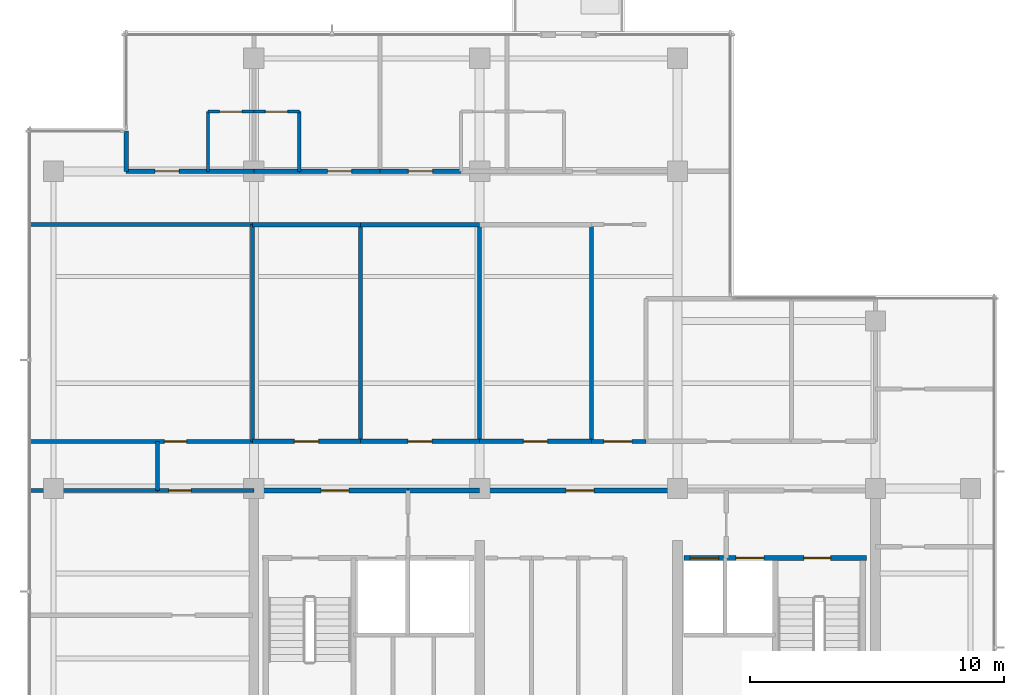
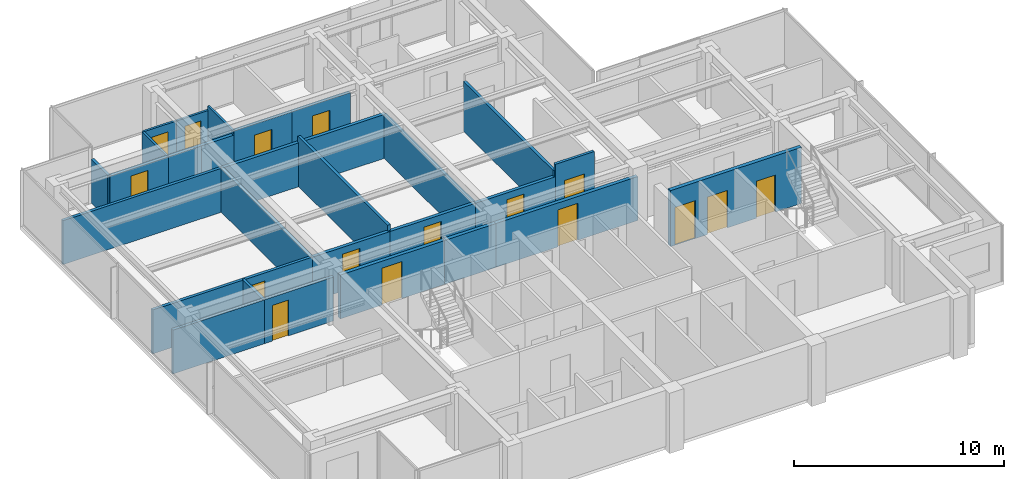
# One storey, part 7 of 12: 29 walls, 16 doors, 16 openings.
"""IFC4 building model written with IfcOpenShell, lengths in metres."""

from ifc_helpers import new_model, si_unit, direction, frame, frame_2d, origin, place, context, subcontext, project, spatial, rectangle, extrude, material, layer, layer_set, type_object, element, fill, save


model = new_model("IFC4")

# Units and contexts
model_context = context("Model", 3, precision=1e-05, world=origin(), true_north=direction((0.0, 1.0)))
body_context = subcontext(model_context, "Body", "Model", "MODEL_VIEW")
ifc_project = project(units=[si_unit("LENGTHUNIT", "METRE"), si_unit("AREAUNIT", "SQUARE_METRE"), si_unit("VOLUMEUNIT", "CUBIC_METRE"), si_unit("PLANEANGLEUNIT", "RADIAN"), si_unit("MASSUNIT", "GRAM", prefix="KILO")], contexts=[model_context])

# Site, building, storey
site_placement = place(None, origin())
site = spatial("IfcSite", under=ifc_project, at=site_placement, CompositionType="ELEMENT")
building_placement = place(site_placement, origin())
building = spatial("IfcBuilding", under=site, at=building_placement, Name="Qalmaran Belvedere Hotel", CompositionType="ELEMENT")
storey_placement = place(building_placement, frame((0.0, 0.0, 252.89990234375)))
storey = spatial("IfcBuildingStorey", under=building, at=storey_placement, Name="L65", CompositionType="ELEMENT", Elevation=252.89990234375)

# Wall, opening, door
ifc_material_1 = material(Name="Moisture-Resistant Gypsum")
ifc_layer_1 = layer(ifc_material_1, 0.1201171875, Name="Moisture-Resistant Gypsum")
ifc_layer_set_1 = layer_set([ifc_layer_1], Name="Moisture-Resistant Gypsum")
wall_type_1 = type_object("IfcWallType", Name="WL-INT-120-BATH", PredefinedType="PARTITIONING", material=ifc_layer_set_1)
wall_1_placement = place(storey_placement, frame((18.489990234375, 35.35009765625, 0.0), z_axis=(0.0, 0.0, 1.0), x_axis=(1.0, 0.0, 0.0)))
wall_1 = element("IfcWall", 1, at=wall_1_placement, inside=storey, type_object=wall_type_1, Name="L65 Partition WL-L65-NBN00", PredefinedType="PARTITIONING", context=body_context, shape_type="SweptSolid", body=[
    extrude(rectangle(XDim=1.81005859375, YDim=0.1201171875, at=frame_2d((0.905029296875, 0.0))), origin(), (0.0, 0.0, 1.0), 2.550048828125),
])
opening_1_placement = place(wall_1_placement, frame((1.344970703125, 0.0, 0.0), z_axis=(0.0, 0.0, 1.0), x_axis=(-1.0, 0.0, 0.0)))
opening_1 = element("IfcOpeningElement", 2, at=opening_1_placement, cuts=wall_1, Name="Opening D-BATH", PredefinedType="OPENING", context=body_context, shape_type="SweptSolid", body=[
    extrude(rectangle(XDim=0.8798828125, YDim=2.080078125, at=frame_2d((0.43994140625, 1.0400390625))), frame((0.0, 0.070068359375, 0.0), z_axis=(0.0, -1.0, 0.0), x_axis=(1.0, 0.0, 0.0)), (0.0, 0.0, 1.0), 0.14013671875),
])
ifc_material_2 = material(Name="Engineered Oak Veneer")
door_type_1 = type_object("IfcDoorType", Name="DR-INT-BATH-880X2080", OperationType="NOTDEFINED", PredefinedType="DOOR", material=ifc_material_2)
door_1_placement = place(opening_1_placement, origin())
door_1 = element("IfcDoor", 3, at=door_1_placement, inside=storey, type_object=door_type_1, Name="L65 Ensuite Bathroom Door N01", OperationType="SINGLE_SWING_RIGHT", OverallHeight=2.080078125, OverallWidth=0.8798828125, PredefinedType="DOOR", context=body_context, shape_type="SweptSolid", body=[
    extrude(rectangle(XDim=0.8798828125, YDim=2.080078125, at=frame_2d((0.43994140625, 1.0400390625))), frame((0.0, 0.02490234375, 0.0), z_axis=(0.0, -1.0, 0.0), x_axis=(1.0, 0.0, 0.0)), (0.0, 0.0, 1.0), 0.050048828125),
])
fill(opening_1, door_1)

# Wall
wall_2_placement = place(storey_placement, frame((18.489990234375, 33.0, 0.0), z_axis=(0.0, 0.0, 1.0), x_axis=(0.0, 1.0, 0.0)))
element("IfcWall", 4, at=wall_2_placement, inside=storey, type_object=wall_type_1, Name="L65 Partition WL-L65-NBS00", PredefinedType="PARTITIONING", context=body_context, shape_type="SweptSolid", body=[
    extrude(rectangle(XDim=2.35009765625, YDim=0.1201171875, at=frame_2d((1.175048828125, 0.0))), origin(), (0.0, 0.0, 1.0), 2.550048828125),
])

# Wall, opening, door
wall_3_placement = place(storey_placement, frame((20.300048828125, 35.35009765625, 0.0), z_axis=(0.0, 0.0, 1.0), x_axis=(1.0, 0.0, 0.0)))
wall_3 = element("IfcWall", 5, at=wall_3_placement, inside=storey, type_object=wall_type_1, Name="L65 Partition WL-L65-NBN01", PredefinedType="PARTITIONING", context=body_context, shape_type="SweptSolid", body=[
    extrude(rectangle(XDim=1.7900390625, YDim=0.1201171875, at=frame_2d((0.89501953125, 0.0))), origin(), (0.0, 0.0, 1.0), 2.550048828125),
])
opening_2_placement = place(wall_3_placement, frame((1.3349609375, 0.0, 0.0), z_axis=(0.0, 0.0, 1.0), x_axis=(-1.0, 0.0, 0.0)))
opening_2 = element("IfcOpeningElement", 6, at=opening_2_placement, cuts=wall_3, Name="Opening D-BATH", PredefinedType="OPENING", context=body_context, shape_type="SweptSolid", body=[
    extrude(rectangle(XDim=0.8798828125, YDim=2.080078125, at=frame_2d((0.43994140625, 1.0400390625))), frame((0.0, 0.070068359375, 0.0), z_axis=(0.0, -1.0, 0.0), x_axis=(1.0, 0.0, 0.0)), (0.0, 0.0, 1.0), 0.14013671875),
])
door_2_placement = place(opening_2_placement, origin())
door_2 = element("IfcDoor", 7, at=door_2_placement, inside=storey, type_object=door_type_1, Name="L65 Ensuite Bathroom Door N02", OperationType="SINGLE_SWING_RIGHT", OverallHeight=2.080078125, OverallWidth=0.8798828125, PredefinedType="DOOR", context=body_context, shape_type="SweptSolid", body=[
    extrude(rectangle(XDim=0.8798828125, YDim=2.080078125, at=frame_2d((0.43994140625, 1.0400390625))), frame((0.0, 0.02490234375, 0.0), z_axis=(0.0, -1.0, 0.0), x_axis=(1.0, 0.0, 0.0)), (0.0, 0.0, 1.0), 0.050048828125),
])
fill(opening_2, door_2)

# Wall
wall_4_placement = place(storey_placement, frame((22.090087890625, 33.0, 0.0), z_axis=(0.0, 0.0, 1.0), x_axis=(0.0, 1.0, 0.0)))
element("IfcWall", 8, at=wall_4_placement, inside=storey, type_object=wall_type_1, Name="L65 Partition WL-L65-NBS01", PredefinedType="PARTITIONING", context=body_context, shape_type="SweptSolid", body=[
    extrude(rectangle(XDim=2.35009765625, YDim=0.1201171875, at=frame_2d((1.175048828125, 0.0))), origin(), (0.0, 0.0, 1.0), 2.781982421875),
])

# Wall, opening, door
ifc_material_3 = material(Name="Gypsum Stud Partition")
ifc_layer_2 = layer(ifc_material_3, 0.14990234375, Name="Gypsum Stud Partition")
ifc_layer_set_2 = layer_set([ifc_layer_2], Name="Gypsum Stud Partition")
wall_type_2 = type_object("IfcWallType", Name="WL-INT-150-EI60", PredefinedType="PARTITIONING", material=ifc_layer_set_2)
wall_5_placement = place(storey_placement, frame((33.60009765625, 22.35009765625, 0.0), z_axis=(0.0, 0.0, 1.0), x_axis=(1.0, 0.0, 0.0)))
wall_5 = element("IfcWall", 9, at=wall_5_placement, inside=storey, type_object=wall_type_2, Name="L65 Partition WL-L65-XCLS", PredefinedType="PARTITIONING", context=body_context, shape_type="SweptSolid", body=[
    extrude(rectangle(XDim=2.14990234375, YDim=0.14990234375, at=frame_2d((1.074951171875, 0.0))), origin(), (0.0, 0.0, 1.0), 3.260009765625),
])
opening_3_placement = place(wall_5_placement, frame((0.5, 0.0, 0.0)))
opening_3 = element("IfcOpeningElement", 10, at=opening_3_placement, cuts=wall_5, Name="Opening FD90", PredefinedType="OPENING", context=body_context, shape_type="SweptSolid", body=[
    extrude(rectangle(XDim=1.10009765625, YDim=2.14990234375, at=frame_2d((0.550048828125, 1.074951171875))), frame((0.0, 0.0849609375, 0.0), z_axis=(0.0, -1.0, 0.0), x_axis=(1.0, 0.0, 0.0)), (0.0, 0.0, 1.0), 0.169921875),
])
ifc_material_4 = material(Name="Steel S355JR", Category="steel")
door_type_2 = type_object("IfcDoorType", Name="DR-FD90-1100X2150", OperationType="NOTDEFINED", PredefinedType="DOOR", material=ifc_material_4)
door_3_placement = place(opening_3_placement, origin())
door_3 = element("IfcDoor", 11, at=door_3_placement, inside=storey, type_object=door_type_2, Name="L65 Sky Link South Door", OperationType="SINGLE_SWING_RIGHT", OverallHeight=2.14990234375, OverallWidth=1.10009765625, PredefinedType="DOOR", context=body_context, shape_type="SweptSolid", body=[
    extrude(rectangle(XDim=1.10009765625, YDim=2.14990234375, at=frame_2d((0.550048828125, 1.074951171875))), frame((0.0, 0.02490234375, 0.0), z_axis=(0.0, -1.0, 0.0), x_axis=(1.0, 0.0, 0.0)), (0.0, 0.0, 1.0), 0.050048828125),
])
fill(opening_3, door_3)

# Wall
ifc_layer_3 = layer(ifc_material_3, 0.159912109375, Name="Gypsum Stud Partition")
ifc_layer_set_3 = layer_set([ifc_layer_3], Name="Gypsum Stud Partition")
wall_type_3 = type_object("IfcWallType", Name="WL-INT-160-EI60", PredefinedType="PARTITIONING", material=ifc_layer_set_3)
wall_6_placement = place(storey_placement, frame((11.469970703125, 20.419921875, 0.0), z_axis=(0.0, 0.0, 1.0), x_axis=(1.0, 0.0, 0.0)))
element("IfcWall", 12, at=wall_6_placement, inside=storey, type_object=wall_type_3, Name="L65 Partition WL-L65-C4WS1", PredefinedType="PARTITIONING", context=body_context, shape_type="SweptSolid", body=[
    extrude(rectangle(XDim=5.030029296875, YDim=0.159912109375, at=frame_2d((2.51513671875, 0.0))), origin(), (0.0, 0.0, 1.0), 2.550048828125),
])

# Wall, opening, door
wall_7_placement = place(storey_placement, frame((16.5, 20.419921875, 0.0), z_axis=(0.0, 0.0, 1.0), x_axis=(1.0, 0.0, 0.0)))
wall_7 = element("IfcWall", 13, at=wall_7_placement, inside=storey, type_object=wall_type_3, Name="L65 Partition WL-L65-C4WS2", PredefinedType="PARTITIONING", context=body_context, shape_type="SweptSolid", body=[
    extrude(rectangle(XDim=3.800048828125, YDim=0.159912109375, at=frame_2d((1.89990234375, 0.0))), origin(), (0.0, 0.0, 1.0), 2.550048828125),
])
opening_4_placement = place(wall_7_placement, frame((1.329833984375, 0.0, 0.0), z_axis=(0.0, 0.0, 1.0), x_axis=(-1.0, 0.0, 0.0)))
opening_4 = element("IfcOpeningElement", 14, at=opening_4_placement, cuts=wall_7, Name="Opening FD60B", PredefinedType="OPENING", context=body_context, shape_type="SweptSolid", body=[
    extrude(rectangle(XDim=0.8798828125, YDim=2.080078125, at=frame_2d((0.43994140625, 1.0400390625))), frame((0.0, 0.08984375, 0.0), z_axis=(0.0, -1.0, 0.0), x_axis=(1.0, 0.0, 0.0)), (0.0, 0.0, 1.0), 0.179931640625),
])
door_type_3 = type_object("IfcDoorType", Name="DR-FD60B-880X2080", OperationType="NOTDEFINED", PredefinedType="DOOR", material=ifc_material_4)
door_4_placement = place(opening_4_placement, origin())
door_4 = element("IfcDoor", 15, at=door_4_placement, inside=storey, type_object=door_type_3, Name="L65 West Salon Door", OperationType="SINGLE_SWING_LEFT", OverallHeight=2.080078125, OverallWidth=0.8798828125, PredefinedType="DOOR", context=body_context, shape_type="SweptSolid", body=[
    extrude(rectangle(XDim=0.8798828125, YDim=2.080078125, at=frame_2d((0.43994140625, 1.0400390625))), frame((0.0, 0.02490234375, 0.0), z_axis=(0.0, -1.0, 0.0), x_axis=(1.0, 0.0, 0.0)), (0.0, 0.0, 1.0), 0.050048828125),
])
fill(opening_4, door_4)

# Wall
wall_8_placement = place(storey_placement, frame((16.5, 20.419921875, 0.0), z_axis=(0.0, 0.0, 1.0), x_axis=(0.0, 1.0, 0.0)))
element("IfcWall", 16, at=wall_8_placement, inside=storey, type_object=wall_type_3, Name="L65 Partition WL-L65-C4WW", PredefinedType="PARTITIONING", context=body_context, shape_type="SweptSolid", body=[
    extrude(rectangle(XDim=1.93017578125, YDim=0.159912109375, at=frame_2d((0.965087890625, 0.0))), origin(), (0.0, 0.0, 1.0), 2.550048828125),
])

# Wall, opening, door
wall_9_placement = place(storey_placement, frame((11.469970703125, 22.35009765625, 0.0), z_axis=(0.0, 0.0, 1.0), x_axis=(1.0, 0.0, 0.0)))
wall_9 = element("IfcWall", 17, at=wall_9_placement, inside=storey, type_object=wall_type_3, Name="L65 Partition WL-L65-C4WN0", PredefinedType="PARTITIONING", context=body_context, shape_type="SweptSolid", body=[
    extrude(rectangle(XDim=8.780029296875, YDim=0.159912109375, at=frame_2d((4.39013671875, 0.0))), origin(), (0.0, 0.0, 1.0), 2.550048828125),
])
opening_5_placement = place(wall_9_placement, frame((5.300048828125, 0.0, 0.0)))
opening_5 = element("IfcOpeningElement", 18, at=opening_5_placement, cuts=wall_9, Name="Opening FD60B", PredefinedType="OPENING", context=body_context, shape_type="SweptSolid", body=[
    extrude(rectangle(XDim=0.8798828125, YDim=2.080078125, at=frame_2d((0.43994140625, 1.0400390625))), frame((0.0, 0.08984375, 0.0), z_axis=(0.0, -1.0, 0.0), x_axis=(1.0, 0.0, 0.0)), (0.0, 0.0, 1.0), 0.179931640625),
])
door_5_placement = place(opening_5_placement, origin())
door_5 = element("IfcDoor", 19, at=door_5_placement, inside=storey, type_object=door_type_3, Name="L65 NW Salon Door", OperationType="SINGLE_SWING_RIGHT", OverallHeight=2.080078125, OverallWidth=0.8798828125, PredefinedType="DOOR", context=body_context, shape_type="SweptSolid", body=[
    extrude(rectangle(XDim=0.8798828125, YDim=2.080078125, at=frame_2d((0.43994140625, 1.0400390625))), frame((0.0, 0.02490234375, 0.0), z_axis=(0.0, -1.0, 0.0), x_axis=(1.0, 0.0, 0.0)), (0.0, 0.0, 1.0), 0.050048828125),
])
fill(opening_5, door_5)

# Walls
wall_10_placement = place(storey_placement, frame((11.469970703125, 30.89990234375, 0.0), z_axis=(0.0, 0.0, 1.0), x_axis=(1.0, 0.0, 0.0)))
element("IfcWall", 20, at=wall_10_placement, inside=storey, type_object=wall_type_3, Name="L65 Partition WL-L65-C4WN1", PredefinedType="PARTITIONING", context=body_context, shape_type="SweptSolid", body=[
    extrude(rectangle(XDim=8.780029296875, YDim=0.159912109375, at=frame_2d((4.39013671875, 0.0))), origin(), (0.0, 0.0, 1.0), 2.550048828125),
])
wall_11_placement = place(storey_placement, frame((20.25, 22.35009765625, 0.0), z_axis=(0.0, 0.0, 1.0), x_axis=(0.0, 1.0, 0.0)))
element("IfcWall", 21, at=wall_11_placement, inside=storey, type_object=wall_type_3, Name="L65 Partition WL-L65-C4MWVL", PredefinedType="PARTITIONING", context=body_context, shape_type="SweptSolid", body=[
    extrude(rectangle(XDim=8.5498046875, YDim=0.159912109375, at=frame_2d((4.27490234375, 0.0))), origin(), (0.0, 0.0, 1.0), 2.550048828125),
])
wall_12_placement = place(storey_placement, frame((24.5, 22.35009765625, 0.0), z_axis=(0.0, 0.0, 1.0), x_axis=(0.0, 1.0, 0.0)))
element("IfcWall", 22, at=wall_12_placement, inside=storey, type_object=wall_type_3, Name="L65 Partition WL-L65-C4MWVR1", PredefinedType="PARTITIONING", context=body_context, shape_type="SweptSolid", body=[
    extrude(rectangle(XDim=8.5498046875, YDim=0.159912109375, at=frame_2d((4.27490234375, 0.0))), origin(), (0.0, 0.0, 1.0), 2.88720703125),
])
wall_13_placement = place(storey_placement, frame((29.199951171875, 22.35009765625, 0.0), z_axis=(0.0, 0.0, 1.0), x_axis=(0.0, 1.0, 0.0)))
element("IfcWall", 23, at=wall_13_placement, inside=storey, type_object=wall_type_3, Name="L65 Partition WL-L65-C4MWVR2", PredefinedType="PARTITIONING", context=body_context, shape_type="SweptSolid", body=[
    extrude(rectangle(XDim=8.5498046875, YDim=0.159912109375, at=frame_2d((4.27490234375, 0.0))), origin(), (0.0, 0.0, 1.0), 2.550048828125),
])
wall_14_placement = place(storey_placement, frame((33.60009765625, 22.35009765625, 0.0), z_axis=(0.0, 0.0, 1.0), x_axis=(0.0, 1.0, 0.0)))
element("IfcWall", 24, at=wall_14_placement, inside=storey, type_object=wall_type_3, Name="L65 Partition WL-L65-C4MWVR3", PredefinedType="PARTITIONING", context=body_context, shape_type="SweptSolid", body=[
    extrude(rectangle(XDim=8.5498046875, YDim=0.159912109375, at=frame_2d((4.27490234375, 0.0))), origin(), (0.0, 0.0, 1.0), 2.88720703125),
])
wall_15_placement = place(storey_placement, frame((15.27001953125, 33.0, 0.0), z_axis=(0.0, 0.0, 1.0), x_axis=(0.0, 1.0, 0.0)))
element("IfcWall", 25, at=wall_15_placement, inside=storey, type_object=wall_type_3, Name="L65 Partition WL-L65-NUL", PredefinedType="PARTITIONING", context=body_context, shape_type="SweptSolid", body=[
    extrude(rectangle(XDim=1.580078125, YDim=0.159912109375, at=frame_2d((0.7900390625, 0.0))), origin(), (0.0, 0.0, 1.0), 2.550048828125),
])

# Wall, opening, door
ifc_layer_4 = layer(ifc_material_3, 0.179931640625, Name="Gypsum Stud Partition")
ifc_layer_set_4 = layer_set([ifc_layer_4], Name="Gypsum Stud Partition")
wall_type_4 = type_object("IfcWallType", Name="WL-INT-180-EI60", PredefinedType="PARTITIONING", material=ifc_layer_set_4)
wall_16_placement = place(storey_placement, frame((20.25, 22.35009765625, 0.0), z_axis=(0.0, 0.0, 1.0), x_axis=(1.0, 0.0, 0.0)))
wall_16 = element("IfcWall", 26, at=wall_16_placement, inside=storey, type_object=wall_type_4, Name="L65 Partition WL-L65-C4MWD1", PredefinedType="PARTITIONING", context=body_context, shape_type="SweptSolid", body=[
    extrude(rectangle(XDim=4.25, YDim=0.179931640625, at=frame_2d((2.125, 0.0))), origin(), (0.0, 0.0, 1.0), 2.550048828125),
])
opening_6_placement = place(wall_16_placement, frame((1.64990234375, 0.0, 0.0)))
opening_6 = element("IfcOpeningElement", 27, at=opening_6_placement, cuts=wall_16, Name="Opening FD60", PredefinedType="OPENING", context=body_context, shape_type="SweptSolid", body=[
    extrude(rectangle(XDim=0.949951171875, YDim=2.14990234375, at=frame_2d((0.47509765625, 1.074951171875))), frame((0.0, 0.10009765625, 0.0), z_axis=(0.0, -1.0, 0.0), x_axis=(1.0, 0.0, 0.0)), (0.0, 0.0, 1.0), 0.199951171875),
])
door_type_4 = type_object("IfcDoorType", Name="DR-FD60-950X2150", OperationType="NOTDEFINED", PredefinedType="DOOR", material=ifc_material_2)
door_6_placement = place(opening_6_placement, origin())
door_6 = element("IfcDoor", 28, at=door_6_placement, inside=storey, type_object=door_type_4, Name="L65 Housekeeping and Linen Room Door", OperationType="SINGLE_SWING_LEFT", OverallHeight=2.14990234375, OverallWidth=0.949951171875, PredefinedType="DOOR", context=body_context, shape_type="SweptSolid", body=[
    extrude(rectangle(XDim=0.949951171875, YDim=2.14990234375, at=frame_2d((0.47509765625, 1.074951171875))), frame((0.0, 0.02490234375, 0.0), z_axis=(0.0, -1.0, 0.0), x_axis=(1.0, 0.0, 0.0)), (0.0, 0.0, 1.0), 0.050048828125),
])
fill(opening_6, door_6)

# Wall
wall_17_placement = place(storey_placement, frame((20.25, 30.89990234375, 0.0), z_axis=(0.0, 0.0, 1.0), x_axis=(1.0, 0.0, 0.0)))
element("IfcWall", 29, at=wall_17_placement, inside=storey, type_object=wall_type_4, Name="L65 Partition WL-L65-C4MWO1", PredefinedType="PARTITIONING", context=body_context, shape_type="SweptSolid", body=[
    extrude(rectangle(XDim=4.25, YDim=0.179931640625, at=frame_2d((2.125, 0.0))), origin(), (0.0, 0.0, 1.0), 2.550048828125),
])

# Wall, opening, door
wall_18_placement = place(storey_placement, frame((24.5, 22.35009765625, 0.0), z_axis=(0.0, 0.0, 1.0), x_axis=(1.0, 0.0, 0.0)))
wall_18 = element("IfcWall", 30, at=wall_18_placement, inside=storey, type_object=wall_type_4, Name="L65 Partition WL-L65-C4MWD2", PredefinedType="PARTITIONING", context=body_context, shape_type="SweptSolid", body=[
    extrude(rectangle(XDim=4.699951171875, YDim=0.179931640625, at=frame_2d((2.35009765625, 0.0))), origin(), (0.0, 0.0, 1.0), 2.550048828125),
])
opening_7_placement = place(wall_18_placement, frame((1.875, 0.0, 0.0)))
opening_7 = element("IfcOpeningElement", 31, at=opening_7_placement, cuts=wall_18, Name="Opening FD60", PredefinedType="OPENING", context=body_context, shape_type="SweptSolid", body=[
    extrude(rectangle(XDim=0.949951171875, YDim=2.14990234375, at=frame_2d((0.47509765625, 1.074951171875))), frame((0.0, 0.10009765625, 0.0), z_axis=(0.0, -1.0, 0.0), x_axis=(1.0, 0.0, 0.0)), (0.0, 0.0, 1.0), 0.199951171875),
])
door_7_placement = place(opening_7_placement, origin())
door_7 = element("IfcDoor", 32, at=door_7_placement, inside=storey, type_object=door_type_4, Name="L65 Butler Pantry Door", OperationType="SINGLE_SWING_RIGHT", OverallHeight=2.14990234375, OverallWidth=0.949951171875, PredefinedType="DOOR", context=body_context, shape_type="SweptSolid", body=[
    extrude(rectangle(XDim=0.949951171875, YDim=2.14990234375, at=frame_2d((0.47509765625, 1.074951171875))), frame((0.0, 0.02490234375, 0.0), z_axis=(0.0, -1.0, 0.0), x_axis=(1.0, 0.0, 0.0)), (0.0, 0.0, 1.0), 0.050048828125),
])
fill(opening_7, door_7)

# Wall
wall_19_placement = place(storey_placement, frame((24.5, 30.89990234375, 0.0), z_axis=(0.0, 0.0, 1.0), x_axis=(1.0, 0.0, 0.0)))
element("IfcWall", 33, at=wall_19_placement, inside=storey, type_object=wall_type_4, Name="L65 Partition WL-L65-C4MWO2", PredefinedType="PARTITIONING", context=body_context, shape_type="SweptSolid", body=[
    extrude(rectangle(XDim=4.699951171875, YDim=0.179931640625, at=frame_2d((2.35009765625, 0.0))), origin(), (0.0, 0.0, 1.0), 2.550048828125),
])

# Wall, opening, door
wall_20_placement = place(storey_placement, frame((29.199951171875, 22.35009765625, 0.0), z_axis=(0.0, 0.0, 1.0), x_axis=(1.0, 0.0, 0.0)))
wall_20 = element("IfcWall", 34, at=wall_20_placement, inside=storey, type_object=wall_type_4, Name="L65 Partition WL-L65-C4MWD3", PredefinedType="PARTITIONING", context=body_context, shape_type="SweptSolid", body=[
    extrude(rectangle(XDim=4.400146484375, YDim=0.179931640625, at=frame_2d((2.2001953125, 0.0))), origin(), (0.0, 0.0, 1.0), 2.550048828125),
])
opening_8_placement = place(wall_20_placement, frame((1.72509765625, 0.0, 0.0)))
opening_8 = element("IfcOpeningElement", 35, at=opening_8_placement, cuts=wall_20, Name="Opening FD60", PredefinedType="OPENING", context=body_context, shape_type="SweptSolid", body=[
    extrude(rectangle(XDim=0.949951171875, YDim=2.14990234375, at=frame_2d((0.47509765625, 1.074951171875))), frame((0.0, 0.10009765625, 0.0), z_axis=(0.0, -1.0, 0.0), x_axis=(1.0, 0.0, 0.0)), (0.0, 0.0, 1.0), 0.199951171875),
])
door_8_placement = place(opening_8_placement, origin())
door_8 = element("IfcDoor", 36, at=door_8_placement, inside=storey, type_object=door_type_4, Name="L65 Coffee Pantry Door", OperationType="SINGLE_SWING_LEFT", OverallHeight=2.14990234375, OverallWidth=0.949951171875, PredefinedType="DOOR", context=body_context, shape_type="SweptSolid", body=[
    extrude(rectangle(XDim=0.949951171875, YDim=2.14990234375, at=frame_2d((0.47509765625, 1.074951171875))), frame((0.0, 0.02490234375, 0.0), z_axis=(0.0, -1.0, 0.0), x_axis=(1.0, 0.0, 0.0)), (0.0, 0.0, 1.0), 0.050048828125),
])
fill(opening_8, door_8)

# Wall
wall_21_placement = place(storey_placement, frame((18.489990234375, 33.0, 0.0), z_axis=(0.0, 0.0, 1.0), x_axis=(1.0, 0.0, 0.0)))
element("IfcWall", 37, at=wall_21_placement, inside=storey, type_object=wall_type_4, Name="L65 Partition WL-L65-NBC00", PredefinedType="PARTITIONING", context=body_context, shape_type="SweptSolid", body=[
    extrude(rectangle(XDim=1.81005859375, YDim=0.179931640625, at=frame_2d((0.905029296875, 0.0))), origin(), (0.0, 0.0, 1.0), 2.550048828125),
])

# Wall, opening, door
wall_22_placement = place(storey_placement, frame((15.27001953125, 33.0, 0.0), z_axis=(0.0, 0.0, 1.0), x_axis=(1.0, 0.0, 0.0)))
wall_22 = element("IfcWall", 38, at=wall_22_placement, inside=storey, type_object=wall_type_4, Name="L65 Partition WL-L65-NEC00", PredefinedType="PARTITIONING", context=body_context, shape_type="SweptSolid", body=[
    extrude(rectangle(XDim=3.219970703125, YDim=0.179931640625, at=frame_2d((1.60986328125, 0.0))), origin(), (0.0, 0.0, 1.0), 2.550048828125),
])
opening_9_placement = place(wall_22_placement, frame((1.135009765625, 0.0, 0.0)))
opening_9 = element("IfcOpeningElement", 39, at=opening_9_placement, cuts=wall_22, Name="Opening FD60", PredefinedType="OPENING", context=body_context, shape_type="SweptSolid", body=[
    extrude(rectangle(XDim=0.949951171875, YDim=2.14990234375, at=frame_2d((0.47509765625, 1.074951171875))), frame((0.0, 0.10009765625, 0.0), z_axis=(0.0, -1.0, 0.0), x_axis=(1.0, 0.0, 0.0)), (0.0, 0.0, 1.0), 0.199951171875),
])
door_9_placement = place(opening_9_placement, origin())
door_9 = element("IfcDoor", 40, at=door_9_placement, inside=storey, type_object=door_type_4, Name="L65 Guest Entrance Door N01", OperationType="SINGLE_SWING_LEFT", OverallHeight=2.14990234375, OverallWidth=0.949951171875, PredefinedType="DOOR", context=body_context, shape_type="SweptSolid", body=[
    extrude(rectangle(XDim=0.949951171875, YDim=2.14990234375, at=frame_2d((0.47509765625, 1.074951171875))), frame((0.0, 0.02490234375, 0.0), z_axis=(0.0, -1.0, 0.0), x_axis=(1.0, 0.0, 0.0)), (0.0, 0.0, 1.0), 0.050048828125),
])
fill(opening_9, door_9)

# Wall
wall_23_placement = place(storey_placement, frame((20.300048828125, 33.0, 0.0), z_axis=(0.0, 0.0, 1.0), x_axis=(1.0, 0.0, 0.0)))
element("IfcWall", 41, at=wall_23_placement, inside=storey, type_object=wall_type_4, Name="L65 Partition WL-L65-NBC01", PredefinedType="PARTITIONING", context=body_context, shape_type="SweptSolid", body=[
    extrude(rectangle(XDim=1.7900390625, YDim=0.179931640625, at=frame_2d((0.89501953125, 0.0))), origin(), (0.0, 0.0, 1.0), 2.550048828125),
])

# Wall, opening, door
wall_24_placement = place(storey_placement, frame((22.090087890625, 33.0, 0.0), z_axis=(0.0, 0.0, 1.0), x_axis=(1.0, 0.0, 0.0)))
wall_24 = element("IfcWall", 42, at=wall_24_placement, inside=storey, type_object=wall_type_4, Name="L65 Partition WL-L65-NEC01", PredefinedType="PARTITIONING", context=body_context, shape_type="SweptSolid", body=[
    extrude(rectangle(XDim=3.18017578125, YDim=0.179931640625, at=frame_2d((1.590087890625, 0.0))), origin(), (0.0, 0.0, 1.0), 2.781982421875),
])
opening_10_placement = place(wall_24_placement, frame((1.114990234375, 0.0, 0.0)))
opening_10 = element("IfcOpeningElement", 43, at=opening_10_placement, cuts=wall_24, Name="Opening FD60", PredefinedType="OPENING", context=body_context, shape_type="SweptSolid", body=[
    extrude(rectangle(XDim=0.949951171875, YDim=2.14990234375, at=frame_2d((0.47509765625, 1.074951171875))), frame((0.0, 0.10009765625, 0.0), z_axis=(0.0, -1.0, 0.0), x_axis=(1.0, 0.0, 0.0)), (0.0, 0.0, 1.0), 0.199951171875),
])
door_10_placement = place(opening_10_placement, origin())
door_10 = element("IfcDoor", 44, at=door_10_placement, inside=storey, type_object=door_type_4, Name="L65 Guest Entrance Door N02", OperationType="SINGLE_SWING_LEFT", OverallHeight=2.14990234375, OverallWidth=0.949951171875, PredefinedType="DOOR", context=body_context, shape_type="SweptSolid", body=[
    extrude(rectangle(XDim=0.949951171875, YDim=2.14990234375, at=frame_2d((0.47509765625, 1.074951171875))), frame((0.0, 0.02490234375, 0.0), z_axis=(0.0, -1.0, 0.0), x_axis=(1.0, 0.0, 0.0)), (0.0, 0.0, 1.0), 0.050048828125),
])
fill(opening_10, door_10)

wall_25_placement = place(storey_placement, frame((25.270263671875, 33.0, 0.0), z_axis=(0.0, 0.0, 1.0), x_axis=(1.0, 0.0, 0.0)))
wall_25 = element("IfcWall", 45, at=wall_25_placement, inside=storey, type_object=wall_type_4, Name="L65 Partition WL-L65-NEC02", PredefinedType="PARTITIONING", context=body_context, shape_type="SweptSolid", body=[
    extrude(rectangle(XDim=3.199951171875, YDim=0.179931640625, at=frame_2d((1.60009765625, 0.0))), origin(), (0.0, 0.0, 1.0), 2.781982421875),
])
opening_11_placement = place(wall_25_placement, frame((1.125, 0.0, 0.0)))
opening_11 = element("IfcOpeningElement", 46, at=opening_11_placement, cuts=wall_25, Name="Opening FD60", PredefinedType="OPENING", context=body_context, shape_type="SweptSolid", body=[
    extrude(rectangle(XDim=0.949951171875, YDim=2.14990234375, at=frame_2d((0.47509765625, 1.074951171875))), frame((0.0, 0.10009765625, 0.0), z_axis=(0.0, -1.0, 0.0), x_axis=(1.0, 0.0, 0.0)), (0.0, 0.0, 1.0), 0.199951171875),
])
door_11_placement = place(opening_11_placement, origin())
door_11 = element("IfcDoor", 47, at=door_11_placement, inside=storey, type_object=door_type_4, Name="L65 Guest Entrance Door N03", OperationType="SINGLE_SWING_LEFT", OverallHeight=2.14990234375, OverallWidth=0.949951171875, PredefinedType="DOOR", context=body_context, shape_type="SweptSolid", body=[
    extrude(rectangle(XDim=0.949951171875, YDim=2.14990234375, at=frame_2d((0.47509765625, 1.074951171875))), frame((0.0, 0.02490234375, 0.0), z_axis=(0.0, -1.0, 0.0), x_axis=(1.0, 0.0, 0.0)), (0.0, 0.0, 1.0), 0.050048828125),
])
fill(opening_11, door_11)

ifc_material_5 = material(Name="Concrete C30/37 Blockwork", Category="masonry")
ifc_layer_5 = layer(ifc_material_5, 0.199951171875, Name="Concrete C30/37 Blockwork")
ifc_layer_set_5 = layer_set([ifc_layer_5], Name="Concrete C30/37 Blockwork")
wall_type_5 = type_object("IfcWallType", Name="WL-INT-200-EI120", PredefinedType="PARTITIONING", material=ifc_layer_set_5)
wall_26_placement = place(storey_placement, frame((20.64990234375, 20.419921875, 0.0), z_axis=(0.0, 0.0, 1.0), x_axis=(1.0, 0.0, 0.0)))
wall_26 = element("IfcWall", 48, at=wall_26_placement, inside=storey, type_object=wall_type_5, Name="L65 Partition WL-CN1A-L65", PredefinedType="PARTITIONING", context=body_context, shape_type="SweptSolid", body=[
    extrude(rectangle(XDim=5.72998046875, YDim=0.199951171875, at=frame_2d((2.864990234375, 0.0))), origin(), (0.0, 0.0, 1.0), 2.550048828125),
])
opening_12_placement = place(wall_26_placement, frame((2.300048828125, 0.0, 0.0)))
opening_12 = element("IfcOpeningElement", 49, at=opening_12_placement, cuts=wall_26, Name="Opening FD90", PredefinedType="OPENING", context=body_context, shape_type="SweptSolid", body=[
    extrude(rectangle(XDim=1.10009765625, YDim=2.14990234375, at=frame_2d((0.550048828125, 1.074951171875))), frame((0.0, 0.10986328125, 0.0), z_axis=(0.0, -1.0, 0.0), x_axis=(1.0, 0.0, 0.0)), (0.0, 0.0, 1.0), 0.219970703125),
])
door_12_placement = place(opening_12_placement, origin())
door_12 = element("IfcDoor", 50, at=door_12_placement, inside=storey, type_object=door_type_2, Name="L65 FF1 Lobby Corridor Door", OperationType="SINGLE_SWING_LEFT", OverallHeight=2.14990234375, OverallWidth=1.10009765625, PredefinedType="DOOR", context=body_context, shape_type="SweptSolid", body=[
    extrude(rectangle(XDim=1.10009765625, YDim=2.14990234375, at=frame_2d((0.550048828125, 1.074951171875))), frame((0.0, 0.02490234375, 0.0), z_axis=(0.0, -1.0, 0.0), x_axis=(1.0, 0.0, 0.0)), (0.0, 0.0, 1.0), 0.050048828125),
])
fill(opening_12, door_12)

# Wall
wall_27_placement = place(storey_placement, frame((26.3798828125, 20.419921875, 0.0), z_axis=(0.0, 0.0, 1.0), x_axis=(1.0, 0.0, 0.0)))
element("IfcWall", 51, at=wall_27_placement, inside=storey, type_object=wall_type_5, Name="L65 Partition WL-CN1B-L65", PredefinedType="PARTITIONING", context=body_context, shape_type="SweptSolid", body=[
    extrude(rectangle(XDim=2.820068359375, YDim=0.199951171875, at=frame_2d((1.41015625, 0.0))), origin(), (0.0, 0.0, 1.0), 2.550048828125),
])

# Wall, opening, door
wall_28_placement = place(storey_placement, frame((29.199951171875, 20.419921875, 0.0), z_axis=(0.0, 0.0, 1.0), x_axis=(1.0, 0.0, 0.0)))
wall_28 = element("IfcWall", 52, at=wall_28_placement, inside=storey, type_object=wall_type_5, Name="L65 Partition WL-CN2-L65", PredefinedType="PARTITIONING", context=body_context, shape_type="SweptSolid", body=[
    extrude(rectangle(XDim=7.800048828125, YDim=0.199951171875, at=frame_2d((3.89990234375, 0.0))), origin(), (0.0, 0.0, 1.0), 2.550048828125),
])
opening_13_placement = place(wall_28_placement, frame((3.4091796875, 0.0, 0.0)))
opening_13 = element("IfcOpeningElement", 53, at=opening_13_placement, cuts=wall_28, Name="Opening FD90", PredefinedType="OPENING", context=body_context, shape_type="SweptSolid", body=[
    extrude(rectangle(XDim=1.10009765625, YDim=2.14990234375, at=frame_2d((0.550048828125, 1.074951171875))), frame((0.0, 0.10986328125, 0.0), z_axis=(0.0, -1.0, 0.0), x_axis=(1.0, 0.0, 0.0)), (0.0, 0.0, 1.0), 0.219970703125),
])
door_13_placement = place(opening_13_placement, origin())
door_13 = element("IfcDoor", 54, at=door_13_placement, inside=storey, type_object=door_type_2, Name="L65 Central Lift Lobby Door", OperationType="SINGLE_SWING_RIGHT", OverallHeight=2.14990234375, OverallWidth=1.10009765625, PredefinedType="DOOR", context=body_context, shape_type="SweptSolid", body=[
    extrude(rectangle(XDim=1.10009765625, YDim=2.14990234375, at=frame_2d((0.550048828125, 1.074951171875))), frame((0.0, 0.02490234375, 0.0), z_axis=(0.0, -1.0, 0.0), x_axis=(1.0, 0.0, 0.0)), (0.0, 0.0, 1.0), 0.050048828125),
])
fill(opening_13, door_13)

# Wall, openings, doors
ifc_material_6 = material(Name="Concrete C50/60", Category="concrete")
ifc_layer_6 = layer(ifc_material_6, 0.2099609375, Name="Concrete C50/60")
ifc_layer_set_6 = layer_set([ifc_layer_6], Name="Concrete C50/60")
wall_type_6 = type_object("IfcWallType", Name="WL-STAIR-210-C50", PredefinedType="SHEAR", material=ifc_layer_set_6)
wall_29_placement = place(storey_placement, frame((37.25, 17.7548828125, 0.0), z_axis=(0.0, 0.0, 1.0), x_axis=(1.0, 0.0, 0.0)))
wall_29 = element("IfcWall", 55, at=wall_29_placement, inside=storey, type_object=wall_type_6, Name="L65 East Lobby and Stair ST-2 North Bearing Wall", PredefinedType="SHEAR", context=body_context, shape_type="SweptSolid", body=[
    extrude(rectangle(XDim=7.199951171875, YDim=0.2099609375, at=frame_2d((3.60009765625, 0.0))), origin(), (0.0, 0.0, 1.0), 3.260009765625),
])
opening_14_placement = place(wall_29_placement, frame((0.25, 0.0, 0.0)))
opening_14 = element("IfcOpeningElement", 56, at=opening_14_placement, cuts=wall_29, Name="Opening LD-SV", PredefinedType="OPENING", context=body_context, shape_type="SweptSolid", body=[
    extrude(rectangle(XDim=1.1201171875, YDim=2.199951171875, at=frame_2d((0.56005859375, 1.10009765625))), frame((0.0, 0.114990234375, 0.0), z_axis=(0.0, -1.0, 0.0), x_axis=(1.0, 0.0, 0.0)), (0.0, 0.0, 1.0), 0.22998046875),
])
opening_15_placement = place(wall_29_placement, frame((2.050048828125, 0.0, 0.0)))
opening_15 = element("IfcOpeningElement", 57, at=opening_15_placement, cuts=wall_29, Name="Opening LD-FF", PredefinedType="OPENING", context=body_context, shape_type="SweptSolid", body=[
    extrude(rectangle(XDim=1.10009765625, YDim=2.179931640625, at=frame_2d((0.550048828125, 1.08984375))), frame((0.0, 0.114990234375, 0.0), z_axis=(0.0, -1.0, 0.0), x_axis=(1.0, 0.0, 0.0)), (0.0, 0.0, 1.0), 0.22998046875),
])
opening_16_placement = place(wall_29_placement, frame((5.780029296875, 0.0, 0.0), z_axis=(0.0, 0.0, 1.0), x_axis=(-1.0, 0.0, 0.0)))
opening_16 = element("IfcOpeningElement", 58, at=opening_16_placement, cuts=wall_29, Name="Opening FD90S2", PredefinedType="OPENING", context=body_context, shape_type="SweptSolid", body=[
    extrude(rectangle(XDim=1.050048828125, YDim=2.14990234375, at=frame_2d((0.52490234375, 1.074951171875))), frame((0.0, 0.114990234375, 0.0), z_axis=(0.0, -1.0, 0.0), x_axis=(1.0, 0.0, 0.0)), (0.0, 0.0, 1.0), 0.22998046875),
])
door_type_5 = type_object("IfcDoorType", Name="DR-FD90S-1050X2150", OperationType="NOTDEFINED", PredefinedType="DOOR", material=ifc_material_4)
door_14_placement = place(opening_16_placement, origin())
door_14 = element("IfcDoor", 59, at=door_14_placement, inside=storey, type_object=door_type_5, Name="L65 Stair ST-2 Door", OperationType="SINGLE_SWING_RIGHT", OverallHeight=2.14990234375, OverallWidth=1.050048828125, PredefinedType="DOOR", context=body_context, shape_type="SweptSolid", body=[
    extrude(rectangle(XDim=1.050048828125, YDim=2.14990234375, at=frame_2d((0.52490234375, 1.074951171875))), frame((0.0, 0.02490234375, 0.0), z_axis=(0.0, -1.0, 0.0), x_axis=(1.0, 0.0, 0.0)), (0.0, 0.0, 1.0), 0.050048828125),
])
fill(opening_16, door_14)
ifc_material_7 = material(Name="Stainless Steel 1.4401", Category="steel")
door_type_6 = type_object("IfcDoorType", Name="DR-LIFT-FF-1100X2180", OperationType="DOUBLE_DOOR_SLIDING", PredefinedType="DOOR", material=ifc_material_7)
door_15_placement = place(opening_15_placement, origin())
door_15 = element("IfcDoor", 60, at=door_15_placement, inside=storey, type_object=door_type_6, Name="L65 FF2 Lift Landing Door", OperationType="DOUBLE_DOOR_SLIDING", OverallHeight=2.179931640625, OverallWidth=1.10009765625, PredefinedType="DOOR", context=body_context, shape_type="SweptSolid", body=[
    extrude(rectangle(XDim=1.10009765625, YDim=2.179931640625, at=frame_2d((0.550048828125, 1.08984375))), frame((0.0, 0.02490234375, 0.0), z_axis=(0.0, -1.0, 0.0), x_axis=(1.0, 0.0, 0.0)), (0.0, 0.0, 1.0), 0.050048828125),
])
fill(opening_15, door_15)
door_type_7 = type_object("IfcDoorType", Name="DR-LIFT-SV-1120X2200", OperationType="DOUBLE_DOOR_SLIDING", PredefinedType="DOOR", material=ifc_material_7)
door_16_placement = place(opening_14_placement, origin())
door_16 = element("IfcDoor", 61, at=door_16_placement, inside=storey, type_object=door_type_7, Name="L65 SV2 Lift Landing Door", OperationType="DOUBLE_DOOR_SLIDING", OverallHeight=2.199951171875, OverallWidth=1.1201171875, PredefinedType="DOOR", context=body_context, shape_type="SweptSolid", body=[
    extrude(rectangle(XDim=1.1201171875, YDim=2.199951171875, at=frame_2d((0.56005859375, 1.10009765625))), frame((0.0, 0.02490234375, 0.0), z_axis=(0.0, -1.0, 0.0), x_axis=(1.0, 0.0, 0.0)), (0.0, 0.0, 1.0), 0.050048828125),
])
fill(opening_14, door_16)

save(model, "model.ifc")
